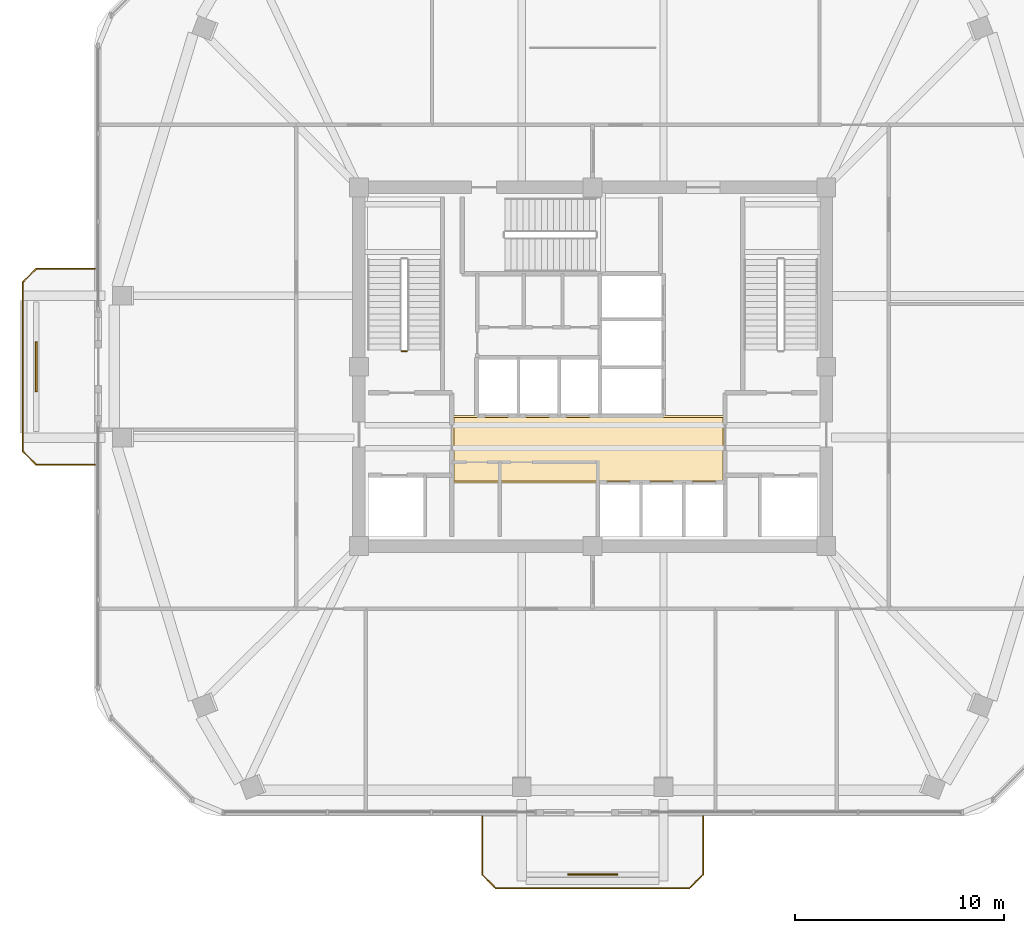
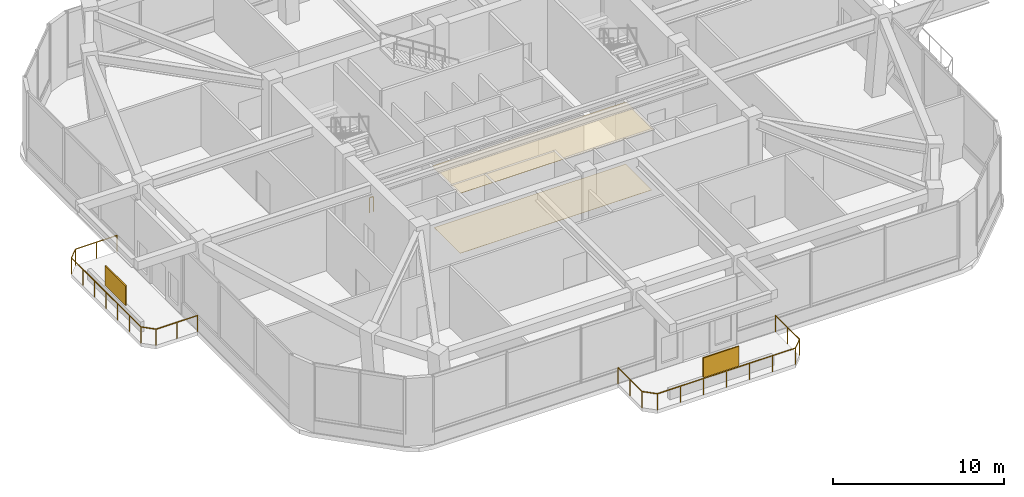
# One storey, part 12 of 14: 3 railings, 2 coverings, 2 shading devices.
"""IFC4 building model written with IfcOpenShell, lengths in metres."""

from ifc_helpers import new_model, si_unit, derived_unit, direction, frame, origin, origin_2d, place, context, subcontext, project, spatial, polyline, rectangle, outline, extrude, material, layer, layer_set, type_object, element, save


model = new_model("IFC4")

# Units and contexts
model_context = context("Model", 3, precision=1e-05, world=origin(), true_north=direction((0.0, 1.0)))
body_context = subcontext(model_context, "Body", "Model", "MODEL_VIEW")
ifc_project = project(units=[si_unit("LENGTHUNIT", "METRE"), si_unit("AREAUNIT", "SQUARE_METRE"), si_unit("VOLUMEUNIT", "CUBIC_METRE"), si_unit("PLANEANGLEUNIT", "RADIAN"), si_unit("MASSUNIT", "GRAM", prefix="KILO"), derived_unit("THERMALTRANSMITTANCEUNIT", [(si_unit("POWERUNIT", "WATT"), 1), (si_unit("LENGTHUNIT", "METRE"), -2), (si_unit("THERMODYNAMICTEMPERATUREUNIT", "KELVIN"), -1)])], contexts=[model_context])

# Site, building, storey
site_placement = place(None, origin())
site = spatial("IfcSite", under=ifc_project, at=site_placement, CompositionType="ELEMENT")
building_placement = place(site_placement, origin())
building = spatial("IfcBuilding", under=site, at=building_placement, Name="Koralith Skygarden Medical Center", CompositionType="ELEMENT")
storey_placement = place(building_placement, frame((0.0, 0.0, 182.699951171875)))
storey = spatial("IfcBuildingStorey", under=building, at=storey_placement, Name="L47", CompositionType="ELEMENT", Elevation=182.699951171875)

# Covering
ifc_material_1 = material(Name="Acoustic Mineral Tile")
ifc_layer_1 = layer(ifc_material_1, 0.02001953125)
ifc_layer_set_1 = layer_set([ifc_layer_1], Name="Acoustic Mineral Tile")
covering_type_1 = type_object("IfcCoveringType", Name="Acoustic Hygienic Mineral Ceiling 20", PredefinedType="CEILING", material=ifc_layer_set_1)
covering_1_placement = place(storey_placement, frame((0.0, 0.0, 4.344970703125)))
element("IfcCovering", 1, at=covering_1_placement, inside=storey, type_object=covering_type_1, Name="L47 Core Lobby Acoustic Ceiling", PredefinedType="CEILING", context=body_context, shape_type="SweptSolid", body=[
    extrude(outline(polyline([(30.25, 20.320068359375), (43.35009765625, 20.320068359375), (43.35009765625, 23.56005859375), (30.25, 23.56005859375), (30.25, 20.320068359375)])), origin(), (0.0, 0.0, 1.0), 0.02001953125),
])

# Railings
ifc_material_2 = material(Name="Steel ASTM A500 Grade C", Category="steel")
railing_type_1 = type_object("IfcRailingType", Name="Outdoor Terrace & Balcony Safety Guardrail 1180", PredefinedType="GUARDRAIL", material=ifc_material_2)
railing_1_placement = place(storey_placement, frame((31.699951171875, 4.34912109375, 0.0)))
element("IfcRailing", 2, at=railing_1_placement, inside=storey, type_object=railing_type_1, Name="L47 S Balcony Perimeter Guardrail", PredefinedType="GUARDRAIL", context=body_context, shape_type="SweptSolid", body=[
    extrude(rectangle(XDim=0.050048828125, YDim=0.050048828125, at=origin_2d()), frame((0.0, -0.001953125, 1.15478515625), z_axis=(0.0, -1.0, 0.0), x_axis=(1.0, 0.0, 0.0)), (0.0, 0.0, 1.0), 2.796142578125),
    extrude(rectangle(XDim=0.050048828125, YDim=0.050048828125, at=origin_2d()), frame((0.00146484375, -2.801513671875, 1.15478515625), z_axis=(0.707106781187, -0.707106781187, 0.0), x_axis=(0.707106781187, 0.707106781187, 0.0)), (0.0, 0.0, 1.0), 0.91552734375),
    extrude(rectangle(XDim=0.050048828125, YDim=0.050048828125, at=origin_2d()), frame((0.652099609375, -3.4501953125, 1.15478515625), z_axis=(1.0, 0.0, 0.0), x_axis=(0.0, 1.0, 0.0)), (0.0, 0.0, 1.0), 9.2958984375),
    extrude(rectangle(XDim=0.050048828125, YDim=0.050048828125, at=origin_2d()), frame((9.951416015625, -3.44873046875, 1.15478515625), z_axis=(0.707106781187, 0.707106781187, 0.0), x_axis=(-0.707106781187, 0.707106781187, 0.0)), (0.0, 0.0, 1.0), 0.91552734375),
    extrude(rectangle(XDim=0.050048828125, YDim=0.050048828125, at=origin_2d()), frame((10.60009765625, -2.798095703125, 1.15478515625), z_axis=(0.0, 1.0, 0.0), x_axis=(-1.0, 0.0, 0.0)), (0.0, 0.0, 1.0), 2.796142578125),
    extrude(rectangle(XDim=0.0419921875, YDim=0.0419921875, at=origin_2d()), origin(), (0.0, 0.0, 1.0), 1.1279296875),
    extrude(rectangle(XDim=0.0419921875, YDim=0.0419921875, at=origin_2d()), frame((0.0, -1.39990234375, 0.0)), (0.0, 0.0, 1.0), 1.1279296875),
    extrude(rectangle(XDim=0.0419921875, YDim=0.0419921875, at=origin_2d()), frame((0.0, -2.800048828125, 0.0)), (0.0, 0.0, 1.0), 1.1279296875),
    extrude(rectangle(XDim=0.0419921875, YDim=0.0419921875, at=origin_2d()), frame((0.650146484375, -3.4501953125, 0.0)), (0.0, 0.0, 1.0), 1.1279296875),
    extrude(rectangle(XDim=0.0419921875, YDim=0.0419921875, at=origin_2d()), frame((2.2001953125, -3.4501953125, 0.0)), (0.0, 0.0, 1.0), 1.1279296875),
    extrude(rectangle(XDim=0.0419921875, YDim=0.0419921875, at=origin_2d()), frame((3.75, -3.4501953125, 0.0)), (0.0, 0.0, 1.0), 1.1279296875),
    extrude(rectangle(XDim=0.0419921875, YDim=0.0419921875, at=origin_2d()), frame((5.300048828125, -3.4501953125, 0.0)), (0.0, 0.0, 1.0), 1.1279296875),
    extrude(rectangle(XDim=0.0419921875, YDim=0.0419921875, at=origin_2d()), frame((6.85009765625, -3.4501953125, 0.0)), (0.0, 0.0, 1.0), 1.1279296875),
    extrude(rectangle(XDim=0.0419921875, YDim=0.0419921875, at=origin_2d()), frame((8.39990234375, -3.4501953125, 0.0)), (0.0, 0.0, 1.0), 1.1279296875),
    extrude(rectangle(XDim=0.0419921875, YDim=0.0419921875, at=origin_2d()), frame((9.949951171875, -3.4501953125, 0.0)), (0.0, 0.0, 1.0), 1.1279296875),
    extrude(rectangle(XDim=0.0419921875, YDim=0.0419921875, at=origin_2d()), frame((10.60009765625, -2.800048828125, 0.0)), (0.0, 0.0, 1.0), 1.1279296875),
    extrude(rectangle(XDim=0.0419921875, YDim=0.0419921875, at=origin_2d()), frame((10.60009765625, -1.39990234375, 0.0)), (0.0, 0.0, 1.0), 1.1279296875),
    extrude(rectangle(XDim=0.0419921875, YDim=0.0419921875, at=origin_2d()), frame((10.60009765625, 0.0, 0.0)), (0.0, 0.0, 1.0), 1.1279296875),
])
railing_2_placement = place(storey_placement, frame((13.123046875, 21.199951171875, 0.0)))
element("IfcRailing", 3, at=railing_2_placement, inside=storey, type_object=railing_type_1, Name="L47 W Balcony Perimeter Guardrail", PredefinedType="GUARDRAIL", context=body_context, shape_type="SweptSolid", body=[
    extrude(rectangle(XDim=0.050048828125, YDim=0.050048828125, at=origin_2d()), frame((-0.001953125, 0.0, 1.15478515625), z_axis=(-1.0, 0.0, 0.0), x_axis=(0.0, -1.0, 0.0)), (0.0, 0.0, 1.0), 2.796142578125),
    extrude(rectangle(XDim=0.050048828125, YDim=0.050048828125, at=origin_2d()), frame((-2.801513671875, 0.00146484375, 1.15478515625), z_axis=(-0.706973978714, 0.707239558722, 0.0), x_axis=(-0.707239558722, -0.706973978714, 0.0)), (0.0, 0.0, 1.0), 0.915283203125),
    extrude(rectangle(XDim=0.050048828125, YDim=0.050048828125, at=origin_2d()), frame((-3.449951171875, 0.652099609375, 1.15478515625), z_axis=(0.0, 1.0, 0.0), x_axis=(-1.0, 0.0, 0.0)), (0.0, 0.0, 1.0), 8.095947265625),
    extrude(rectangle(XDim=0.050048828125, YDim=0.050048828125, at=origin_2d()), frame((-3.448486328125, 8.75146484375, 1.15478515625), z_axis=(0.706973978714, 0.707239558722, 0.0), x_axis=(-0.707239558722, 0.706973978714, 0.0)), (0.0, 0.0, 1.0), 0.915283203125),
    extrude(rectangle(XDim=0.050048828125, YDim=0.050048828125, at=origin_2d()), frame((-2.798095703125, 9.400146484375, 1.15478515625), z_axis=(1.0, 0.0, 0.0), x_axis=(0.0, 1.0, 0.0)), (0.0, 0.0, 1.0), 2.796142578125),
    extrude(rectangle(XDim=0.0419921875, YDim=0.0419921875, at=origin_2d()), origin(), (0.0, 0.0, 1.0), 1.1279296875),
    extrude(rectangle(XDim=0.0419921875, YDim=0.0419921875, at=origin_2d()), frame((-1.39990234375, 0.0, 0.0)), (0.0, 0.0, 1.0), 1.1279296875),
    extrude(rectangle(XDim=0.0419921875, YDim=0.0419921875, at=origin_2d()), frame((-2.800048828125, 0.0, 0.0)), (0.0, 0.0, 1.0), 1.1279296875),
    extrude(rectangle(XDim=0.0419921875, YDim=0.0419921875, at=origin_2d()), frame((-3.449951171875, 0.650146484375, 0.0)), (0.0, 0.0, 1.0), 1.1279296875),
    extrude(rectangle(XDim=0.0419921875, YDim=0.0419921875, at=origin_2d()), frame((-3.449951171875, 2.0, 0.0)), (0.0, 0.0, 1.0), 1.1279296875),
    extrude(rectangle(XDim=0.0419921875, YDim=0.0419921875, at=origin_2d()), frame((-3.449951171875, 3.35009765625, 0.0)), (0.0, 0.0, 1.0), 1.1279296875),
    extrude(rectangle(XDim=0.0419921875, YDim=0.0419921875, at=origin_2d()), frame((-3.449951171875, 4.7001953125, 0.0)), (0.0, 0.0, 1.0), 1.1279296875),
    extrude(rectangle(XDim=0.0419921875, YDim=0.0419921875, at=origin_2d()), frame((-3.449951171875, 6.050048828125, 0.0)), (0.0, 0.0, 1.0), 1.1279296875),
    extrude(rectangle(XDim=0.0419921875, YDim=0.0419921875, at=origin_2d()), frame((-3.449951171875, 7.39990234375, 0.0)), (0.0, 0.0, 1.0), 1.1279296875),
    extrude(rectangle(XDim=0.0419921875, YDim=0.0419921875, at=origin_2d()), frame((-3.449951171875, 8.75, 0.0)), (0.0, 0.0, 1.0), 1.1279296875),
    extrude(rectangle(XDim=0.0419921875, YDim=0.0419921875, at=origin_2d()), frame((-2.800048828125, 9.400146484375, 0.0)), (0.0, 0.0, 1.0), 1.1279296875),
    extrude(rectangle(XDim=0.0419921875, YDim=0.0419921875, at=origin_2d()), frame((-1.39990234375, 9.400146484375, 0.0)), (0.0, 0.0, 1.0), 1.1279296875),
    extrude(rectangle(XDim=0.0419921875, YDim=0.0419921875, at=origin_2d()), frame((0.0, 9.400146484375, 0.0)), (0.0, 0.0, 1.0), 1.1279296875),
])

# Shading devices
ifc_material_3 = material(Name="Aluminium 6063-T6", Category="aluminium")
ifc_layer_2 = layer(ifc_material_3, 0.080078125)
ifc_layer_set_2 = layer_set([ifc_layer_2], Name="Aluminium 6063-T6")
shading_device_type = type_object("IfcShadingDeviceType", Name="Perforated Biophilic Balcony Trellis Screen", PredefinedType="USERDEFINED", material=ifc_layer_set_2)
for number, where, z_axis, x_axis, name in (
    (4, (37.0, 1.549072265625, 0.72021484375), (0.0, 0.0, 1.0), (1.0, 0.0, 0.0), "L47 S Biophilic Balcony Trellis Screen"),
    (5, (10.322998046875, 25.89990234375, 0.72021484375), (0.0, 0.0, 1.0), (0.0, 1.0, 0.0), "L47 W Biophilic Balcony Trellis Screen"),
):
    element("IfcShadingDevice", number, at=place(storey_placement, frame(where, z_axis=z_axis, x_axis=x_axis)), inside=storey, type_object=shading_device_type, Name=name, ObjectType="HURRICANE SCREEN", PredefinedType="USERDEFINED", context=body_context, shape_type="SweptSolid", body=[
        extrude(rectangle(XDim=2.39990234375, YDim=0.080078125, at=origin_2d()), origin(), (0.0, 0.0, 1.0), 1.39990234375),
    ])

# Covering
ifc_material_4 = material(Name="Medical Terrazzo Flooring")
ifc_layer_3 = layer(ifc_material_4, 0.014892578125)
ifc_layer_set_3 = layer_set([ifc_layer_3], Name="Medical Terrazzo Flooring")
covering_type_2 = type_object("IfcCoveringType", Name="Seamless Antimicrobial Terrazzo Flooring 15", PredefinedType="FLOORING", material=ifc_layer_set_3)
covering_2_placement = place(storey_placement, origin())
element("IfcCovering", 6, at=covering_2_placement, inside=storey, type_object=covering_type_2, Name="L47 Core Lobby Terrazzo Flooring", PredefinedType="FLOORING", context=body_context, shape_type="SweptSolid", body=[
    extrude(outline(polyline([(30.35009765625, 20.419921875), (43.25, 20.419921875), (43.25, 23.4599609375), (30.35009765625, 23.4599609375), (30.35009765625, 20.419921875)])), origin(), (0.0, 0.0, 1.0), 0.01513671875),
])

# Railing
railing_type_2 = type_object("IfcRailingType", Name="Stair Well Safety Guardrail 1100", PredefinedType="GUARDRAIL", material=ifc_material_2)
railing_3_placement = place(storey_placement, frame((28.10009765625, 26.64990234375, 0.0)))
element("IfcRailing", 7, at=railing_3_placement, inside=storey, type_object=railing_type_2, Name="L47 ST1 stair guard 4", PredefinedType="GUARDRAIL", context=body_context, shape_type="SweptSolid", body=[
    extrude(rectangle(XDim=0.050048828125, YDim=0.050048828125, at=origin_2d()), frame((-0.001953125, 0.0, 1.0751953125), z_axis=(-1.0, 0.0, 0.0), x_axis=(0.0, -1.0, 0.0)), (0.0, 0.0, 1.0), 0.24609375),
    extrude(rectangle(XDim=0.0419921875, YDim=0.0419921875, at=origin_2d()), origin(), (0.0, 0.0, 1.0), 1.048095703125),
    extrude(rectangle(XDim=0.0419921875, YDim=0.0419921875, at=origin_2d()), frame((-0.25, 0.0, 0.0)), (0.0, 0.0, 1.0), 1.048095703125),
])

save(model, "model.ifc")
